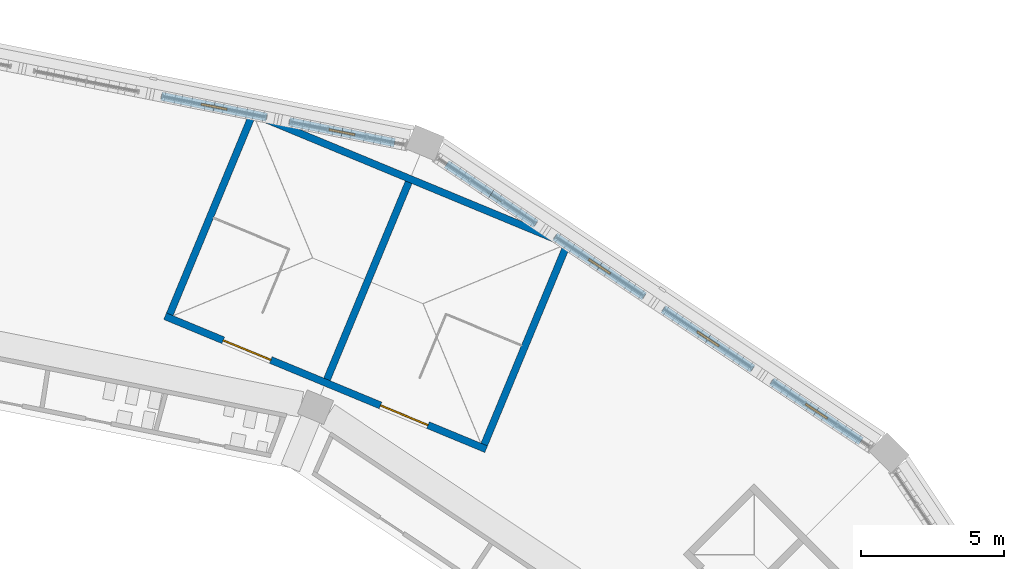
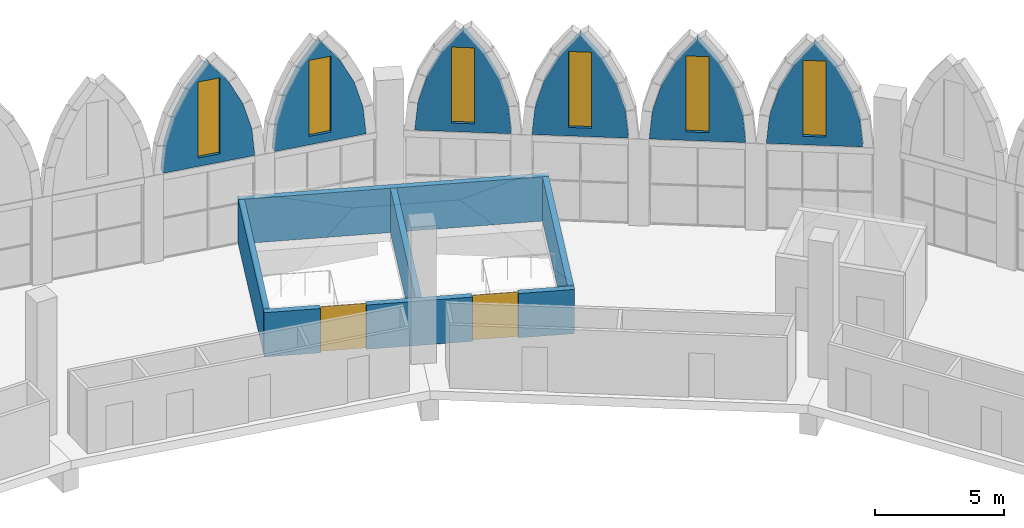
# One storey, part 87 of 130: 11 walls, 6 windows, 2 doors, 8 openings.
"""IFC4 building model written with IfcOpenShell, lengths in metres."""

from ifc_helpers import new_model, si_unit, direction, frame, frame_2d, origin, place, context, subcontext, project, spatial, polyline, rectangle, outline, extrude, material, layer, layer_set, type_object, element, fill, save


model = new_model("IFC4")

# Units and contexts
model_context = context("Model", 3, precision=1e-05, world=origin(), true_north=direction((0.0, 1.0)))
body_context = subcontext(model_context, "Body", "Model", "MODEL_VIEW")
ifc_project = project(units=[si_unit("LENGTHUNIT", "METRE"), si_unit("AREAUNIT", "SQUARE_METRE"), si_unit("VOLUMEUNIT", "CUBIC_METRE"), si_unit("PLANEANGLEUNIT", "RADIAN"), si_unit("MASSUNIT", "GRAM", prefix="KILO")], contexts=[model_context])

# Site, building, storey
site_placement = place(None, origin())
site = spatial("IfcSite", under=ifc_project, at=site_placement, CompositionType="ELEMENT")
building_placement = place(site_placement, origin())
building = spatial("IfcBuilding", under=site, at=building_placement, Name="Ogive Plaza Stadium", CompositionType="ELEMENT")
storey_placement = place(building_placement, frame((0.0, 0.0, 22.5)))
storey = spatial("IfcBuildingStorey", under=building, at=storey_placement, Name="L05", CompositionType="ELEMENT", Elevation=22.5)

# Wall, openings, doors
ifc_material_1 = material(Name="Concrete C40/50", Category="concrete")
ifc_layer_1 = layer(ifc_material_1, 0.25)
ifc_layer_set_1 = layer_set([ifc_layer_1], Name="Concrete C40/50")
wall_type_1 = type_object("IfcWallType", Name="Core wall 250", PredefinedType="SHEAR", material=ifc_layer_set_1)
wall_1_placement = place(storey_placement, frame((55.27392578125, 87.98486328125, 0.0), z_axis=(0.0, 0.0, 1.0), x_axis=(-0.923877480578, 0.382688386133, 0.0)))
wall_1 = element("IfcWall", 1, at=wall_1_placement, inside=storey, type_object=wall_type_1, Name="Stair core R38 inner wall", PredefinedType="SHEAR", context=body_context, shape_type="SweptSolid", body=[
    extrude(rectangle(XDim=12.14990234375, YDim=0.25, at=frame_2d((6.074951171875, 0.0))), origin(), (0.0, 0.0, 1.0), 2.10009765625),
])
opening_1_placement = place(wall_1_placement, frame((2.199951171875, 0.0, 0.0)))
opening_1 = element("IfcOpeningElement", 2, at=opening_1_placement, cuts=wall_1, Name="Opening D0283", PredefinedType="OPENING", context=body_context, shape_type="SweptSolid", body=[
    extrude(rectangle(XDim=1.800048828125, YDim=2.10009765625, at=frame_2d((0.89990234375, 1.050048828125))), frame((0.0, 0.125, 0.0), z_axis=(0.0, -1.0, 0.0), x_axis=(1.0, 0.0, 0.0)), (0.0, 0.0, 1.0), 0.25),
])
opening_2_placement = place(wall_1_placement, frame((8.14990234375, 0.0, 0.0)))
opening_2 = element("IfcOpeningElement", 3, at=opening_2_placement, cuts=wall_1, Name="Opening D0284", PredefinedType="OPENING", context=body_context, shape_type="SweptSolid", body=[
    extrude(rectangle(XDim=1.800048828125, YDim=2.10009765625, at=frame_2d((0.89990234375, 1.050048828125))), frame((0.0, 0.125, 0.0), z_axis=(0.0, -1.0, 0.0), x_axis=(1.0, 0.0, 0.0)), (0.0, 0.0, 1.0), 0.25),
])
ifc_material_2 = material(Name="Steel ASTM A572 Grade 50", Category="steel")
door_type = type_object("IfcDoorType", Name="Fire door FD90 pair 1800 x 2100", OperationType="DOUBLE_DOOR_SINGLE_SWING", PredefinedType="DOOR", material=ifc_material_2)
door_1_placement = place(opening_1_placement, origin())
door_1 = element("IfcDoor", 4, at=door_1_placement, inside=storey, type_object=door_type, Name="Exit stair R38A door L05", OperationType="DOUBLE_DOOR_SINGLE_SWING", OverallHeight=2.10009765625, OverallWidth=1.800048828125, PredefinedType="DOOR", context=body_context, shape_type="SweptSolid", body=[
    extrude(rectangle(XDim=1.800048828125, YDim=2.10009765625, at=frame_2d((0.89990234375, 1.050048828125))), frame((0.0, 0.02490234375, 0.0), z_axis=(0.0, -1.0, 0.0), x_axis=(1.0, 0.0, 0.0)), (0.0, 0.0, 1.0), 0.050048828125),
])
fill(opening_1, door_1)
door_2_placement = place(opening_2_placement, origin())
door_2 = element("IfcDoor", 5, at=door_2_placement, inside=storey, type_object=door_type, Name="Exit stair R38B door L05", OperationType="DOUBLE_DOOR_SINGLE_SWING", OverallHeight=2.10009765625, OverallWidth=1.800048828125, PredefinedType="DOOR", context=body_context, shape_type="SweptSolid", body=[
    extrude(rectangle(XDim=1.800048828125, YDim=2.10009765625, at=frame_2d((0.89990234375, 1.050048828125))), frame((0.0, 0.02490234375, 0.0), z_axis=(0.0, -1.0, 0.0), x_axis=(1.0, 0.0, 0.0)), (0.0, 0.0, 1.0), 0.050048828125),
])
fill(opening_2, door_2)

# Walls
wall_2_placement = place(storey_placement, frame((58.224365234375, 95.108154296875, 0.0), z_axis=(0.0, 0.0, 1.0), x_axis=(-0.923884584817, 0.382671234792, 0.0)))
element("IfcWall", 6, at=wall_2_placement, inside=storey, type_object=wall_type_1, Name="Stair core R38 outer wall", PredefinedType="SHEAR", context=body_context, shape_type="SweptSolid", body=[
    extrude(rectangle(XDim=12.14990234375, YDim=0.25, at=frame_2d((6.074951171875, 0.0))), origin(), (0.0, 0.0, 1.0), 2.10009765625),
])
for number, where, z_axis, x_axis, name in (
    (7, (55.206298828125, 88.148193359375, 0.0), (0.0, 0.0, 1.0), (0.382664910245, 0.923887204407, 0.0), "Stair core R38 side wall"),
    (8, (44.212158203125, 92.7021484375, 0.0), (0.0, 0.0, 1.0), (0.382664910245, 0.923887204407, 0.0), "Stair core R38 side wall"),
):
    element("IfcWall", number, at=place(storey_placement, frame(where, z_axis=z_axis, x_axis=x_axis)), inside=storey, type_object=wall_type_1, Name=name, PredefinedType="SHEAR", context=body_context, shape_type="SweptSolid", body=[
        extrude(rectangle(XDim=7.460205078125, YDim=0.25, at=frame_2d((3.72998046875, 0.0))), origin(), (0.0, 0.0, 1.0), 2.10009765625),
    ])
wall_3_placement = place(storey_placement, frame((49.709228515625, 90.42529296875, 0.0), z_axis=(0.0, 0.0, 1.0), x_axis=(0.382676480483, 0.923882412044, 0.0)))
element("IfcWall", 9, at=wall_3_placement, inside=storey, type_object=wall_type_1, Name="Stair core R38 centre wall", PredefinedType="SHEAR", context=body_context, shape_type="SweptSolid", body=[
    extrude(rectangle(XDim=7.4599609375, YDim=0.25, at=frame_2d((3.72998046875, 0.0))), origin(), (0.0, 0.0, 1.0), 2.10009765625),
])

# Wall, opening, window
ifc_material_3 = material(Name="Concrete C45/55 precast", Category="concrete")
ifc_layer_2 = layer(ifc_material_3, 0.25)
ifc_material_4 = material(Name="Cast stone (reconstituted limestone)", Category="masonry")
ifc_layer_3 = layer(ifc_material_4, 0.050048828125)
ifc_layer_set_2 = layer_set([ifc_layer_2, ifc_layer_3], Name="Concrete C45/55 precast, cast stone facing")
wall_type_2 = type_object("IfcWallType", Name="Tympanum wall 300", PredefinedType="SOLIDWALL", material=ifc_layer_set_2)
wall_4_placement = place(storey_placement, frame((43.92041015625, 100.32275390625, 4.10009765625), z_axis=(0.0, 0.0, 1.0), x_axis=(0.980787572669, -0.195078797665, 0.0)))
wall_4 = element("IfcWall", 10, at=wall_4_placement, inside=storey, type_object=wall_type_2, Name="TYMPANUM B37 3", PredefinedType="SOLIDWALL", context=body_context, shape_type="SweptSolid", body=[
    extrude(outline(polyline([(0.0, 0.0), (3.757080078125, 0.0), (3.757080078125, 0.0498046875), (3.634521484375, 1.311279296875), (3.270751953125, 2.5771484375), (2.678466796875, 3.753662109375), (1.878662109375, 4.7998046875), (1.07861328125, 3.753662109375), (0.486328125, 2.5771484375), (0.12255859375, 1.311279296875), (0.0, 0.0498046875), (0.0, 0.0)])), frame((0.0, 0.14990234375, 0.0), z_axis=(0.0, -1.0, 0.0), x_axis=(1.0, 0.0, 0.0)), (0.0, 0.0, 1.0), 0.300048828125),
])
opening_3_placement = place(wall_4_placement, frame((1.428466796875, 0.0, 0.39990234375)))
opening_3 = element("IfcOpeningElement", 11, at=opening_3_placement, cuts=wall_4, Name="Opening W-37-3", PredefinedType="OPENING", context=body_context, shape_type="SweptSolid", body=[
    extrude(rectangle(XDim=0.89990234375, YDim=3.60009765625, at=frame_2d((0.449951171875, 1.800048828125))), frame((0.0, 0.16015625, 0.0), z_axis=(0.0, -1.0, 0.0), x_axis=(1.0, 0.0, 0.0)), (0.0, 0.0, 1.0), 0.320068359375),
])
ifc_material_5 = material(Name="Bronze-anodised aluminium and laminated glass", Category="aluminium")
window_type = type_object("IfcWindowType", Name="Lancet window 900 x 3600", PartitioningType="SINGLE_PANEL", PredefinedType="WINDOW", material=ifc_material_5)
window_1_placement = place(opening_3_placement, origin())
window_1 = element("IfcWindow", 12, at=window_1_placement, inside=storey, type_object=window_type, Name="LANCET WINDOW B37 3", OverallHeight=3.60009765625, OverallWidth=0.89990234375, PartitioningType="SINGLE_PANEL", PredefinedType="WINDOW", context=body_context, shape_type="SweptSolid", body=[
    extrude(rectangle(XDim=0.89990234375, YDim=3.60009765625, at=frame_2d((0.449951171875, 1.800048828125))), frame((0.0, 0.030029296875, 0.0), z_axis=(0.0, -1.0, 0.0), x_axis=(1.0, 0.0, 0.0)), (0.0, 0.0, 1.0), 0.06005859375),
])
fill(opening_3, window_1)

wall_5_placement = place(storey_placement, frame((48.389892578125, 99.433837890625, 4.10009765625), z_axis=(0.0, 0.0, 1.0), x_axis=(0.980775137592, -0.195141306446, 0.0)))
wall_5 = element("IfcWall", 13, at=wall_5_placement, inside=storey, type_object=wall_type_2, Name="TYMPANUM B37 4", PredefinedType="SOLIDWALL", context=body_context, shape_type="SweptSolid", body=[
    extrude(outline(polyline([(0.0, 0.0), (3.757080078125, 0.0), (3.757080078125, 0.0498046875), (3.634521484375, 1.311279296875), (3.270751953125, 2.5771484375), (2.678466796875, 3.753662109375), (1.878662109375, 4.7998046875), (1.07861328125, 3.753662109375), (0.486328125, 2.5771484375), (0.12255859375, 1.311279296875), (0.0, 0.0498046875), (0.0, 0.0)])), frame((0.0, 0.14990234375, 0.0), z_axis=(0.0, -1.0, 0.0), x_axis=(1.0, 0.0, 0.0)), (0.0, 0.0, 1.0), 0.300048828125),
])
opening_4_placement = place(wall_5_placement, frame((1.428466796875, 0.0, 0.39990234375)))
opening_4 = element("IfcOpeningElement", 14, at=opening_4_placement, cuts=wall_5, Name="Opening W-37-4", PredefinedType="OPENING", context=body_context, shape_type="SweptSolid", body=[
    extrude(rectangle(XDim=0.89990234375, YDim=3.60009765625, at=frame_2d((0.449951171875, 1.800048828125))), frame((0.0, 0.16015625, 0.0), z_axis=(0.0, -1.0, 0.0), x_axis=(1.0, 0.0, 0.0)), (0.0, 0.0, 1.0), 0.320068359375),
])
window_2_placement = place(opening_4_placement, origin())
window_2 = element("IfcWindow", 15, at=window_2_placement, inside=storey, type_object=window_type, Name="LANCET WINDOW B37 4", OverallHeight=3.60009765625, OverallWidth=0.89990234375, PartitioningType="SINGLE_PANEL", PredefinedType="WINDOW", context=body_context, shape_type="SweptSolid", body=[
    extrude(rectangle(XDim=0.89990234375, YDim=3.60009765625, at=frame_2d((0.449951171875, 1.800048828125))), frame((0.0, 0.030029296875, 0.0), z_axis=(0.0, -1.0, 0.0), x_axis=(1.0, 0.0, 0.0)), (0.0, 0.0, 1.0), 0.06005859375),
])
fill(opening_4, window_2)

wall_6_placement = place(storey_placement, frame((53.88818359375, 97.94970703125, 4.10009765625), z_axis=(0.0, 0.0, 1.0), x_axis=(0.831449970196, -0.555599628384, 0.0)))
wall_6 = element("IfcWall", 16, at=wall_6_placement, inside=storey, type_object=wall_type_2, Name="TYMPANUM B38 1", PredefinedType="SOLIDWALL", context=body_context, shape_type="SweptSolid", body=[
    extrude(outline(polyline([(0.0, 0.0), (3.757080078125, 0.0), (3.757080078125, 0.0498046875), (3.634521484375, 1.311279296875), (3.270751953125, 2.5771484375), (2.678466796875, 3.753662109375), (1.878662109375, 4.7998046875), (1.07861328125, 3.753662109375), (0.486328125, 2.5771484375), (0.12255859375, 1.311279296875), (0.0, 0.0498046875), (0.0, 0.0)])), frame((0.0, 0.14990234375, 0.0), z_axis=(0.0, -1.0, 0.0), x_axis=(1.0, 0.0, 0.0)), (0.0, 0.0, 1.0), 0.300048828125),
])
opening_5_placement = place(wall_6_placement, frame((1.428466796875, 0.0, 0.39990234375)))
opening_5 = element("IfcOpeningElement", 17, at=opening_5_placement, cuts=wall_6, Name="Opening W-38-1", PredefinedType="OPENING", context=body_context, shape_type="SweptSolid", body=[
    extrude(rectangle(XDim=0.89990234375, YDim=3.60009765625, at=frame_2d((0.449951171875, 1.800048828125))), frame((0.0, 0.16015625, 0.0), z_axis=(0.0, -1.0, 0.0), x_axis=(1.0, 0.0, 0.0)), (0.0, 0.0, 1.0), 0.320068359375),
])
window_3_placement = place(opening_5_placement, origin())
window_3 = element("IfcWindow", 18, at=window_3_placement, inside=storey, type_object=window_type, Name="LANCET WINDOW B38 1", OverallHeight=3.60009765625, OverallWidth=0.89990234375, PartitioningType="SINGLE_PANEL", PredefinedType="WINDOW", context=body_context, shape_type="SweptSolid", body=[
    extrude(rectangle(XDim=0.89990234375, YDim=3.60009765625, at=frame_2d((0.449951171875, 1.800048828125))), frame((0.0, 0.030029296875, 0.0), z_axis=(0.0, -1.0, 0.0), x_axis=(1.0, 0.0, 0.0)), (0.0, 0.0, 1.0), 0.06005859375),
])
fill(opening_5, window_3)

wall_7_placement = place(storey_placement, frame((57.67724609375, 95.41796875, 4.10009765625), z_axis=(0.0, 0.0, 1.0), x_axis=(0.831449970196, -0.555599628384, 0.0)))
wall_7 = element("IfcWall", 19, at=wall_7_placement, inside=storey, type_object=wall_type_2, Name="TYMPANUM B38 2", PredefinedType="SOLIDWALL", context=body_context, shape_type="SweptSolid", body=[
    extrude(outline(polyline([(0.0, 0.0), (3.757080078125, 0.0), (3.757080078125, 0.0498046875), (3.634521484375, 1.311279296875), (3.270751953125, 2.5771484375), (2.678466796875, 3.753662109375), (1.878662109375, 4.7998046875), (1.07861328125, 3.753662109375), (0.486328125, 2.5771484375), (0.12255859375, 1.311279296875), (0.0, 0.0498046875), (0.0, 0.0)])), frame((0.0, 0.14990234375, 0.0), z_axis=(0.0, -1.0, 0.0), x_axis=(1.0, 0.0, 0.0)), (0.0, 0.0, 1.0), 0.300048828125),
])
opening_6_placement = place(wall_7_placement, frame((1.428466796875, 0.0, 0.39990234375)))
opening_6 = element("IfcOpeningElement", 20, at=opening_6_placement, cuts=wall_7, Name="Opening W-38-2", PredefinedType="OPENING", context=body_context, shape_type="SweptSolid", body=[
    extrude(rectangle(XDim=0.89990234375, YDim=3.60009765625, at=frame_2d((0.449951171875, 1.800048828125))), frame((0.0, 0.16015625, 0.0), z_axis=(0.0, -1.0, 0.0), x_axis=(1.0, 0.0, 0.0)), (0.0, 0.0, 1.0), 0.320068359375),
])
window_4_placement = place(opening_6_placement, origin())
window_4 = element("IfcWindow", 21, at=window_4_placement, inside=storey, type_object=window_type, Name="LANCET WINDOW B38 2", OverallHeight=3.60009765625, OverallWidth=0.89990234375, PartitioningType="SINGLE_PANEL", PredefinedType="WINDOW", context=body_context, shape_type="SweptSolid", body=[
    extrude(rectangle(XDim=0.89990234375, YDim=3.60009765625, at=frame_2d((0.449951171875, 1.800048828125))), frame((0.0, 0.030029296875, 0.0), z_axis=(0.0, -1.0, 0.0), x_axis=(1.0, 0.0, 0.0)), (0.0, 0.0, 1.0), 0.06005859375),
])
fill(opening_6, window_4)

wall_8_placement = place(storey_placement, frame((61.46630859375, 92.88623046875, 4.10009765625), z_axis=(0.0, 0.0, 1.0), x_axis=(0.831449970196, -0.555599628384, 0.0)))
wall_8 = element("IfcWall", 22, at=wall_8_placement, inside=storey, type_object=wall_type_2, Name="TYMPANUM B38 3", PredefinedType="SOLIDWALL", context=body_context, shape_type="SweptSolid", body=[
    extrude(outline(polyline([(0.0, 0.0), (3.757080078125, 0.0), (3.757080078125, 0.0498046875), (3.634521484375, 1.311279296875), (3.270751953125, 2.5771484375), (2.678466796875, 3.753662109375), (1.878662109375, 4.7998046875), (1.07861328125, 3.753662109375), (0.486328125, 2.5771484375), (0.12255859375, 1.311279296875), (0.0, 0.0498046875), (0.0, 0.0)])), frame((0.0, 0.14990234375, 0.0), z_axis=(0.0, -1.0, 0.0), x_axis=(1.0, 0.0, 0.0)), (0.0, 0.0, 1.0), 0.300048828125),
])
opening_7_placement = place(wall_8_placement, frame((1.428466796875, 0.0, 0.39990234375)))
opening_7 = element("IfcOpeningElement", 23, at=opening_7_placement, cuts=wall_8, Name="Opening W-38-3", PredefinedType="OPENING", context=body_context, shape_type="SweptSolid", body=[
    extrude(rectangle(XDim=0.89990234375, YDim=3.60009765625, at=frame_2d((0.449951171875, 1.800048828125))), frame((0.0, 0.16015625, 0.0), z_axis=(0.0, -1.0, 0.0), x_axis=(1.0, 0.0, 0.0)), (0.0, 0.0, 1.0), 0.320068359375),
])
window_5_placement = place(opening_7_placement, origin())
window_5 = element("IfcWindow", 24, at=window_5_placement, inside=storey, type_object=window_type, Name="LANCET WINDOW B38 3", OverallHeight=3.60009765625, OverallWidth=0.89990234375, PartitioningType="SINGLE_PANEL", PredefinedType="WINDOW", context=body_context, shape_type="SweptSolid", body=[
    extrude(rectangle(XDim=0.89990234375, YDim=3.60009765625, at=frame_2d((0.449951171875, 1.800048828125))), frame((0.0, 0.030029296875, 0.0), z_axis=(0.0, -1.0, 0.0), x_axis=(1.0, 0.0, 0.0)), (0.0, 0.0, 1.0), 0.06005859375),
])
fill(opening_7, window_5)

wall_9_placement = place(storey_placement, frame((65.25537109375, 90.354248046875, 4.10009765625), z_axis=(0.0, 0.0, 1.0), x_axis=(0.831479988906, -0.555554703021, 0.0)))
wall_9 = element("IfcWall", 25, at=wall_9_placement, inside=storey, type_object=wall_type_2, Name="TYMPANUM B38 4", PredefinedType="SOLIDWALL", context=body_context, shape_type="SweptSolid", body=[
    extrude(outline(polyline([(0.0, 0.0), (3.7568359375, 0.0), (3.757080078125, 0.0498046875), (3.634521484375, 1.311279296875), (3.270751953125, 2.5771484375), (2.678466796875, 3.753662109375), (1.878662109375, 4.7998046875), (1.07861328125, 3.753662109375), (0.486328125, 2.5771484375), (0.12255859375, 1.311279296875), (0.0, 0.0498046875), (0.0, 0.0)])), frame((0.0, 0.14990234375, 0.0), z_axis=(0.0, -1.0, 0.0), x_axis=(1.0, 0.0, 0.0)), (0.0, 0.0, 1.0), 0.300048828125),
])
opening_8_placement = place(wall_9_placement, frame((1.428466796875, 0.0, 0.39990234375)))
opening_8 = element("IfcOpeningElement", 26, at=opening_8_placement, cuts=wall_9, Name="Opening W-38-4", PredefinedType="OPENING", context=body_context, shape_type="SweptSolid", body=[
    extrude(rectangle(XDim=0.89990234375, YDim=3.60009765625, at=frame_2d((0.449951171875, 1.800048828125))), frame((0.0, 0.16015625, 0.0), z_axis=(0.0, -1.0, 0.0), x_axis=(1.0, 0.0, 0.0)), (0.0, 0.0, 1.0), 0.320068359375),
])
window_6_placement = place(opening_8_placement, origin())
window_6 = element("IfcWindow", 27, at=window_6_placement, inside=storey, type_object=window_type, Name="LANCET WINDOW B38 4", OverallHeight=3.60009765625, OverallWidth=0.89990234375, PartitioningType="SINGLE_PANEL", PredefinedType="WINDOW", context=body_context, shape_type="SweptSolid", body=[
    extrude(rectangle(XDim=0.89990234375, YDim=3.60009765625, at=frame_2d((0.449951171875, 1.800048828125))), frame((0.0, 0.030029296875, 0.0), z_axis=(0.0, -1.0, 0.0), x_axis=(1.0, 0.0, 0.0)), (0.0, 0.0, 1.0), 0.06005859375),
])
fill(opening_8, window_6)

save(model, "model.ifc")
